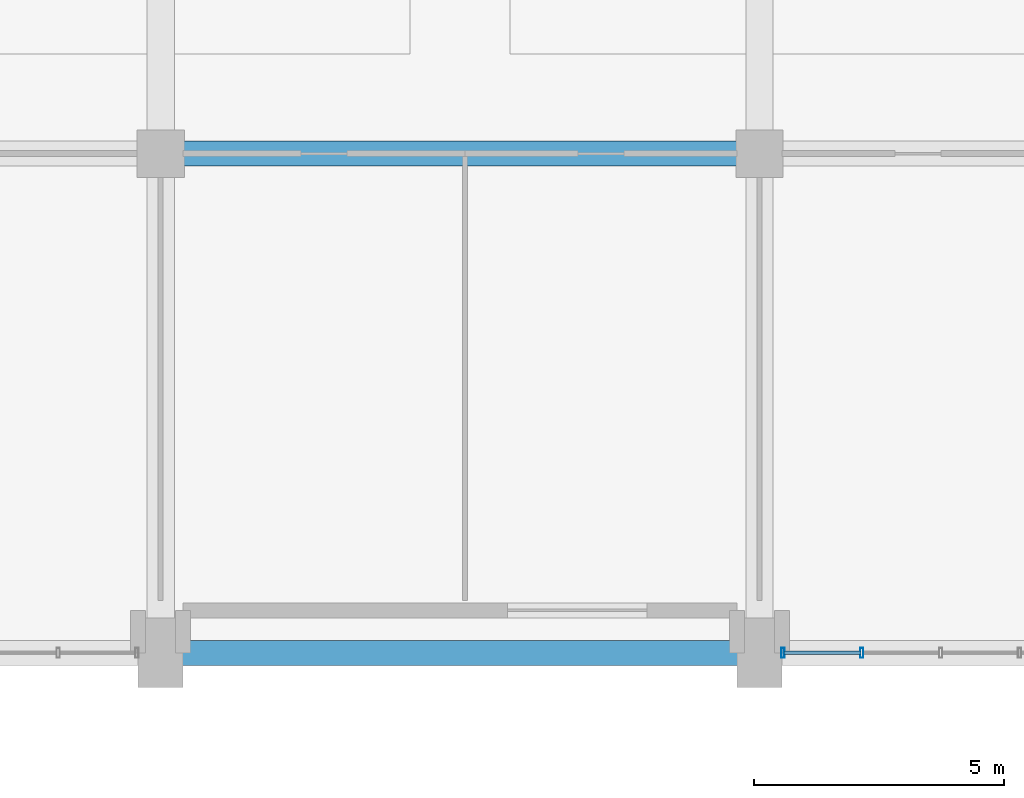
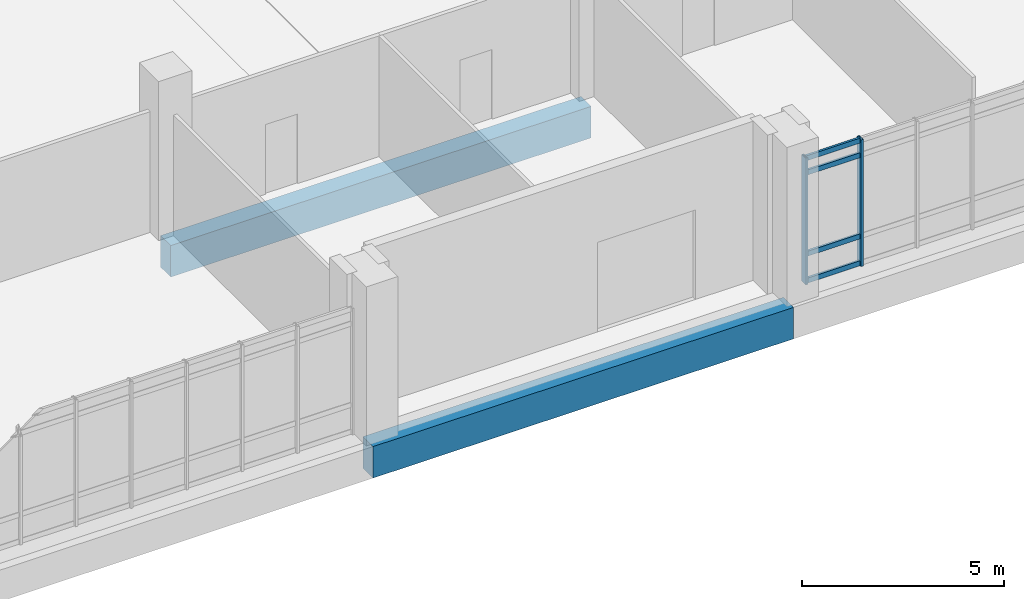
# One storey, part 11 of 87: 6 members, 2 beams, 1 element without a shape of its own.
"""IFC4 building model written with IfcOpenShell, lengths in metres."""

from ifc_helpers import new_model, si_unit, direction, frame, origin, origin_2d, place, context, subcontext, project, spatial, rectangle, hollow_rectangle, extrude, material, layer, layer_set, material_profile, profile_set, type_object, element, aggregate, save


model = new_model("IFC4")

# Units and contexts
model_context = context("Model", 3, precision=1e-05, world=origin(), true_north=direction((0.0, 1.0)))
body_context = subcontext(model_context, "Body", "Model", "MODEL_VIEW")
ifc_project = project(units=[si_unit("LENGTHUNIT", "METRE"), si_unit("AREAUNIT", "SQUARE_METRE"), si_unit("VOLUMEUNIT", "CUBIC_METRE"), si_unit("PLANEANGLEUNIT", "RADIAN"), si_unit("MASSUNIT", "GRAM", prefix="KILO")], contexts=[model_context])

# Site, building, storey
site_placement = place(None, origin())
site = spatial("IfcSite", under=ifc_project, at=site_placement, CompositionType="ELEMENT")
building_placement = place(site_placement, origin())
building = spatial("IfcBuilding", under=site, at=building_placement, Name="Mersad Railyard Sports Hall", CompositionType="ELEMENT")
storey_placement = place(building_placement, origin())
storey = spatial("IfcBuildingStorey", under=building, at=storey_placement, Name="L00", CompositionType="ELEMENT", Elevation=0.0)

# Curtain wall, members
ifc_material_1 = material(Name="Aluminium 6063-T6", Category="aluminium")
ifc_layer = layer(ifc_material_1, 0.199951171875)
ifc_layer_set = layer_set([ifc_layer], Name="Aluminium 6063-T6")
curtain_wall_type = type_object("IfcCurtainWallType", Name="ARC-CW-CW01", PredefinedType="USERDEFINED", material=ifc_layer_set)
curtain_wall_placement = place(storey_placement, origin())
curtain_wall = element("IfcCurtainWall", 1, at=curtain_wall_placement, inside=storey, type_object=curtain_wall_type, Name="Curtain wall CW01-0014", ObjectType="CURTAIN WALL", PredefinedType="USERDEFINED")
ifc_material_profile_1 = material_profile(ifc_material_1, hollow_rectangle(XDim=0.06494140625, YDim=0.199951171875, WallThickness=0.0048828125, at=origin_2d()), Name="AL MULLION 65x200x5")
ifc_profile_set_1 = profile_set([ifc_material_profile_1], Name="Aluminium 6063-T6")
member_type_1 = type_object("IfcMemberType", Name="ARC-CW-MUL02", PredefinedType="MULLION", material=ifc_profile_set_1)
member_1_placement = place(storey_placement, frame((57.050048828125, 3.5, -0.02001953125), z_axis=(0.0, 0.0, 1.0), x_axis=(1.0, 0.0, 0.0)))
member_1 = element("IfcMember", 2, at=member_1_placement, type_object=member_type_1, Name="CW01 Mullion 7", PredefinedType="MULLION", context=body_context, shape_type="SweptSolid", body=[
    extrude(hollow_rectangle(XDim=0.06494140625, YDim=0.199951171875, WallThickness=0.0048828125, at=origin_2d()), origin(), (0.0, 0.0, 1.0), 3.820068359375),
])
member_2_placement = place(storey_placement, frame((55.469970703125, 3.5, -0.02001953125), z_axis=(0.0, 0.0, 1.0), x_axis=(1.0, 0.0, 0.0)))
member_2 = element("IfcMember", 3, at=member_2_placement, type_object=member_type_1, Name="CW01 Mullion 8", PredefinedType="MULLION", context=body_context, shape_type="SweptSolid", body=[
    extrude(hollow_rectangle(XDim=0.06494140625, YDim=0.199951171875, WallThickness=0.0048828125, at=origin_2d()), origin(), (0.0, 0.0, 1.0), 3.820068359375),
])
ifc_material_profile_2 = material_profile(ifc_material_1, hollow_rectangle(XDim=0.06494140625, YDim=0.14990234375, WallThickness=0.00439453125, at=origin_2d()), Name="AL TRANSOM 65x150x4.5")
ifc_profile_set_2 = profile_set([ifc_material_profile_2], Name="Aluminium 6063-T6")
member_type_2 = type_object("IfcMemberType", Name="ARC-CW-TRN02", PredefinedType="USERDEFINED", material=ifc_profile_set_2)
member_3_placement = place(storey_placement, frame((57.030029296875, 3.5, 0.0400390625), z_axis=(-1.0, 0.0, 0.0), x_axis=(0.0, -1.0, 0.0)))
member_3 = element("IfcMember", 4, at=member_3_placement, type_object=member_type_2, Name="CW01 Transom 1-7", ObjectType="TRANSOM", PredefinedType="USERDEFINED", context=body_context, shape_type="SweptSolid", body=[
    extrude(hollow_rectangle(XDim=0.06494140625, YDim=0.14990234375, WallThickness=0.00439453125, at=origin_2d()), origin(), (0.0, 0.0, 1.0), 1.5400390625),
])
member_4_placement = place(storey_placement, frame((57.030029296875, 3.5, 0.85009765625), z_axis=(-1.0, 0.0, 0.0), x_axis=(0.0, -1.0, 0.0)))
member_4 = element("IfcMember", 5, at=member_4_placement, type_object=member_type_2, Name="CW01 Transom 2-7", ObjectType="TRANSOM", PredefinedType="USERDEFINED", context=body_context, shape_type="SweptSolid", body=[
    extrude(hollow_rectangle(XDim=0.06494140625, YDim=0.14990234375, WallThickness=0.00439453125, at=origin_2d()), origin(), (0.0, 0.0, 1.0), 1.5400390625),
])
member_5_placement = place(storey_placement, frame((57.030029296875, 3.5, 3.300048828125), z_axis=(-1.0, 0.0, 0.0), x_axis=(0.0, -1.0, 0.0)))
member_5 = element("IfcMember", 6, at=member_5_placement, type_object=member_type_2, Name="CW01 Transom 3-7", ObjectType="TRANSOM", PredefinedType="USERDEFINED", context=body_context, shape_type="SweptSolid", body=[
    extrude(hollow_rectangle(XDim=0.06494140625, YDim=0.14990234375, WallThickness=0.00439453125, at=origin_2d()), origin(), (0.0, 0.0, 1.0), 1.5400390625),
])
member_6_placement = place(storey_placement, frame((57.030029296875, 3.5, 3.739990234375), z_axis=(-1.0, 0.0, 0.0), x_axis=(0.0, -1.0, 0.0)))
member_6 = element("IfcMember", 7, at=member_6_placement, type_object=member_type_2, Name="CW01 Transom 4-7", ObjectType="TRANSOM", PredefinedType="USERDEFINED", context=body_context, shape_type="SweptSolid", body=[
    extrude(hollow_rectangle(XDim=0.06494140625, YDim=0.14990234375, WallThickness=0.00439453125, at=origin_2d()), origin(), (0.0, 0.0, 1.0), 1.5400390625),
])
aggregate(curtain_wall, [member_1, member_2, member_3, member_4, member_5, member_6])

# Beams
ifc_material_2 = material(Name="Concrete C50/60", Category="concrete")
ifc_material_profile_3 = material_profile(ifc_material_2, rectangle(XDim=0.5, YDim=0.949951171875, at=origin_2d()), Name="RC 500x950")
ifc_profile_set_3 = profile_set([ifc_material_profile_3], Name="Concrete C50/60")
beam_type = type_object("IfcBeamType", Name="STR-BM-B03", PredefinedType="BEAM", material=ifc_profile_set_3)
for number, where, z_axis, x_axis, name in (
    (8, (43.0, 3.5, -0.925048828125), (1.0, 0.0, 0.0), (0.0, 1.0, 0.0), "Beam B03-0004"),
    (9, (43.0, 13.5, -0.925048828125), (1.0, 0.0, 0.0), (0.0, 1.0, 0.0), "Beam B03-0011"),
):
    element("IfcBeam", number, at=place(storey_placement, frame(where, z_axis=z_axis, x_axis=x_axis)), inside=storey, type_object=beam_type, Name=name, PredefinedType="BEAM", context=body_context, shape_type="SweptSolid", body=[
        extrude(rectangle(XDim=0.5, YDim=0.949951171875, at=origin_2d()), origin(), (0.0, 0.0, 1.0), 12.0),
    ])

save(model, "model.ifc")
